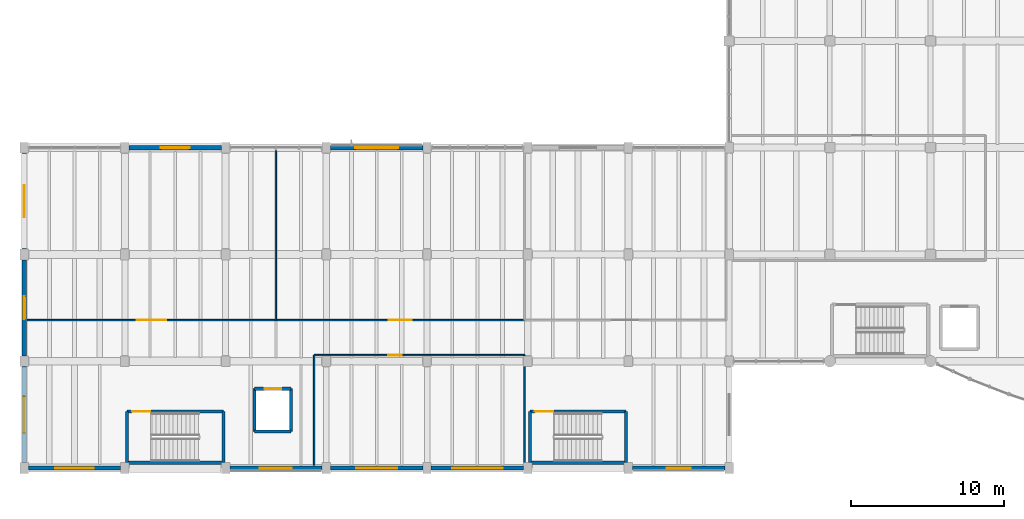
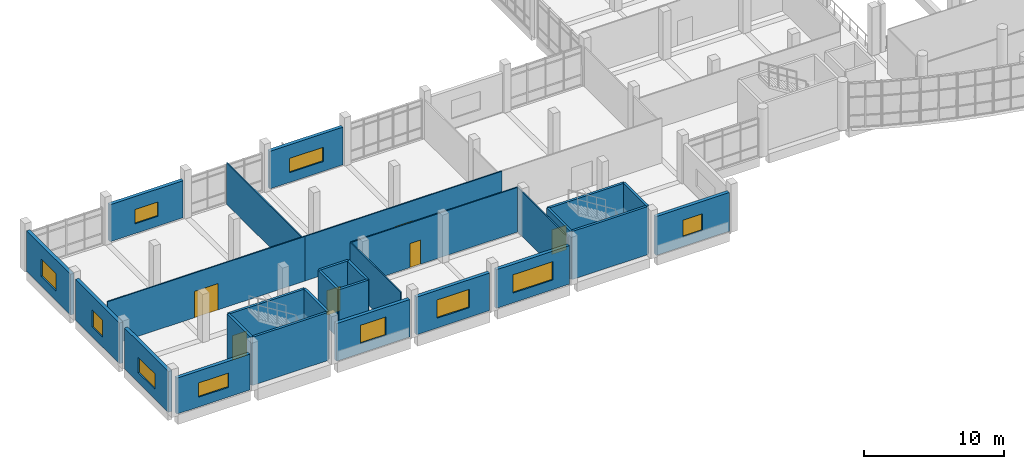
# One storey, part 44 of 68: 28 walls, 10 windows, 6 doors, 16 openings.
"""IFC4 building model written with IfcOpenShell, lengths in metres."""

from ifc_helpers import new_model, si_unit, direction, frame, frame_2d, origin, place, context, subcontext, project, spatial, rectangle, extrude, material, layer, layer_set, type_object, element, fill, save


model = new_model("IFC4")

# Units and contexts
model_context = context("Model", 3, precision=1e-05, world=origin(), true_north=direction((0.0, 1.0)))
body_context = subcontext(model_context, "Body", "Model", "MODEL_VIEW")
ifc_project = project(units=[si_unit("LENGTHUNIT", "METRE"), si_unit("AREAUNIT", "SQUARE_METRE"), si_unit("VOLUMEUNIT", "CUBIC_METRE"), si_unit("PLANEANGLEUNIT", "RADIAN"), si_unit("MASSUNIT", "GRAM", prefix="KILO")], contexts=[model_context])

# Site, building, storey
site_placement = place(None, origin())
site = spatial("IfcSite", under=ifc_project, at=site_placement, CompositionType="ELEMENT")
building_placement = place(site_placement, origin())
building = spatial("IfcBuilding", under=site, at=building_placement, Name="Ciguamira Faculty of Natural Sciences", CompositionType="ELEMENT")
storey_placement = place(building_placement, frame((0.0, 0.0, 4.199951171875)))
storey = spatial("IfcBuildingStorey", under=building, at=storey_placement, Name="L01", CompositionType="ELEMENT", Elevation=4.199951171875)

# Wall, opening, window
ifc_material_1 = material(Name="Precast concrete C40/50", Category="concrete")
ifc_layer_1 = layer(ifc_material_1, 0.280029296875, Name="Precast concrete C40/50")
ifc_layer_set_1 = layer_set([ifc_layer_1], Name="Precast concrete C40/50")
wall_type_1 = type_object("IfcWallType", Name="ExtWall_EW-01_280", PredefinedType="SOLIDWALL", material=ifc_layer_set_1)
wall_1_placement = place(storey_placement, frame((4.77490234375, 3.0, 0.0), z_axis=(0.0, 0.0, 1.0), x_axis=(1.0, 0.0, 0.0)))
wall_1 = element("IfcWall", 1, at=wall_1_placement, inside=storey, type_object=wall_type_1, Name="L01 exterior wall 0137", PredefinedType="SOLIDWALL", context=body_context, shape_type="SweptSolid", body=[
    extrude(rectangle(XDim=6.050048828125, YDim=0.280029296875, at=frame_2d((3.02490234375, 0.0))), origin(), (0.0, 0.0, 1.0), 3.135009765625),
])
opening_1_placement = place(wall_1_placement, frame((1.77490234375, 0.0, 0.85009765625)))
opening_1 = element("IfcOpeningElement", 2, at=opening_1_placement, cuts=wall_1, Name="Opening WT-19", PredefinedType="OPENING", context=body_context, shape_type="SweptSolid", body=[
    extrude(rectangle(XDim=2.5, YDim=1.25, at=frame_2d((1.25, 0.625))), frame((0.0, 0.14990234375, 0.0), z_axis=(0.0, -1.0, 0.0), x_axis=(1.0, 0.0, 0.0)), (0.0, 0.0, 1.0), 0.300048828125),
])
ifc_material_2 = material(Name="Hurricane laminated solar glass", Category="glass")
window_type_1 = type_object("IfcWindowType", Name="Window_WT-19_2500x1250", PartitioningType="DOUBLE_PANEL_VERTICAL", PredefinedType="WINDOW", material=ifc_material_2)
window_1_placement = place(opening_1_placement, origin())
window_1 = element("IfcWindow", 3, at=window_1_placement, inside=storey, type_object=window_type_1, Name="L01 facade window 0053", OverallHeight=1.25, OverallWidth=2.5, PartitioningType="SINGLE_PANEL", PredefinedType="WINDOW", context=body_context, shape_type="SweptSolid", body=[
    extrude(rectangle(XDim=2.5, YDim=1.25, at=frame_2d((1.25, 0.625))), frame((0.0, 0.030029296875, 0.0), z_axis=(0.0, -1.0, 0.0), x_axis=(1.0, 0.0, 0.0)), (0.0, 0.0, 1.0), 0.06005859375),
])
fill(opening_1, window_1)

wall_2_placement = place(storey_placement, frame((17.97509765625, 3.0, 0.0), z_axis=(0.0, 0.0, 1.0), x_axis=(1.0, 0.0, 0.0)))
wall_2 = element("IfcWall", 4, at=wall_2_placement, inside=storey, type_object=wall_type_1, Name="L01 exterior wall 0138", PredefinedType="SOLIDWALL", context=body_context, shape_type="SweptSolid", body=[
    extrude(rectangle(XDim=6.0498046875, YDim=0.280029296875, at=frame_2d((3.02490234375, 0.0))), origin(), (0.0, 0.0, 1.0), 3.28515625),
])
opening_2_placement = place(wall_2_placement, frame((1.97509765625, 0.0, 0.85009765625)))
opening_2 = element("IfcOpeningElement", 5, at=opening_2_placement, cuts=wall_2, Name="Opening WT-22", PredefinedType="OPENING", context=body_context, shape_type="SweptSolid", body=[
    extrude(rectangle(XDim=2.10009765625, YDim=1.60009765625, at=frame_2d((1.050048828125, 0.800048828125))), frame((0.0, 0.14990234375, 0.0), z_axis=(0.0, -1.0, 0.0), x_axis=(1.0, 0.0, 0.0)), (0.0, 0.0, 1.0), 0.300048828125),
])
window_type_2 = type_object("IfcWindowType", Name="Window_WT-22_2100x1600", PartitioningType="DOUBLE_PANEL_VERTICAL", PredefinedType="WINDOW", material=ifc_material_2)
window_2_placement = place(opening_2_placement, origin())
window_2 = element("IfcWindow", 6, at=window_2_placement, inside=storey, type_object=window_type_2, Name="L01 facade window 0054", OverallHeight=1.60009765625, OverallWidth=2.10009765625, PartitioningType="SINGLE_PANEL", PredefinedType="WINDOW", context=body_context, shape_type="SweptSolid", body=[
    extrude(rectangle(XDim=2.10009765625, YDim=1.60009765625, at=frame_2d((1.050048828125, 0.800048828125))), frame((0.0, 0.030029296875, 0.0), z_axis=(0.0, -1.0, 0.0), x_axis=(1.0, 0.0, 0.0)), (0.0, 0.0, 1.0), 0.06005859375),
])
fill(opening_2, window_2)

wall_3_placement = place(storey_placement, frame((24.574951171875, 3.0, 0.0), z_axis=(0.0, 0.0, 1.0), x_axis=(1.0, 0.0, 0.0)))
wall_3 = element("IfcWall", 7, at=wall_3_placement, inside=storey, type_object=wall_type_1, Name="L01 exterior wall 0139", PredefinedType="SOLIDWALL", context=body_context, shape_type="SweptSolid", body=[
    extrude(rectangle(XDim=6.050048828125, YDim=0.280029296875, at=frame_2d((3.02490234375, 0.0))), origin(), (0.0, 0.0, 1.0), 3.28515625),
])
opening_3_placement = place(wall_3_placement, frame((1.675048828125, 0.0, 0.85009765625)))
opening_3 = element("IfcOpeningElement", 8, at=opening_3_placement, cuts=wall_3, Name="Opening WT-24", PredefinedType="OPENING", context=body_context, shape_type="SweptSolid", body=[
    extrude(rectangle(XDim=2.699951171875, YDim=1.60009765625, at=frame_2d((1.35009765625, 0.800048828125))), frame((0.0, 0.14990234375, 0.0), z_axis=(0.0, -1.0, 0.0), x_axis=(1.0, 0.0, 0.0)), (0.0, 0.0, 1.0), 0.300048828125),
])
window_type_3 = type_object("IfcWindowType", Name="Window_WT-24_2700x1600", PartitioningType="DOUBLE_PANEL_VERTICAL", PredefinedType="WINDOW", material=ifc_material_2)
window_3_placement = place(opening_3_placement, origin())
window_3 = element("IfcWindow", 9, at=window_3_placement, inside=storey, type_object=window_type_3, Name="L01 facade window 0055", OverallHeight=1.60009765625, OverallWidth=2.699951171875, PartitioningType="SINGLE_PANEL", PredefinedType="WINDOW", context=body_context, shape_type="SweptSolid", body=[
    extrude(rectangle(XDim=2.699951171875, YDim=1.60009765625, at=frame_2d((1.35009765625, 0.800048828125))), frame((0.0, 0.030029296875, 0.0), z_axis=(0.0, -1.0, 0.0), x_axis=(1.0, 0.0, 0.0)), (0.0, 0.0, 1.0), 0.06005859375),
])
fill(opening_3, window_3)

wall_4_placement = place(storey_placement, frame((31.175048828125, 3.0, 0.0), z_axis=(0.0, 0.0, 1.0), x_axis=(1.0, 0.0, 0.0)))
wall_4 = element("IfcWall", 10, at=wall_4_placement, inside=storey, type_object=wall_type_1, Name="L01 exterior wall 0140", PredefinedType="SOLIDWALL", context=body_context, shape_type="SweptSolid", body=[
    extrude(rectangle(XDim=6.050048828125, YDim=0.280029296875, at=frame_2d((3.02490234375, 0.0))), origin(), (0.0, 0.0, 1.0), 3.364990234375),
])
opening_4_placement = place(wall_4_placement, frame((1.375, 0.0, 0.85009765625)))
opening_4 = element("IfcOpeningElement", 11, at=opening_4_placement, cuts=wall_4, Name="Opening WT-26", PredefinedType="OPENING", context=body_context, shape_type="SweptSolid", body=[
    extrude(rectangle(XDim=3.300048828125, YDim=1.60009765625, at=frame_2d((1.64990234375, 0.800048828125))), frame((0.0, 0.14990234375, 0.0), z_axis=(0.0, -1.0, 0.0), x_axis=(1.0, 0.0, 0.0)), (0.0, 0.0, 1.0), 0.300048828125),
])
window_type_4 = type_object("IfcWindowType", Name="Window_WT-26_3300x1600", PartitioningType="DOUBLE_PANEL_VERTICAL", PredefinedType="WINDOW", material=ifc_material_2)
window_4_placement = place(opening_4_placement, origin())
window_4 = element("IfcWindow", 12, at=window_4_placement, inside=storey, type_object=window_type_4, Name="L01 facade window 0056", OverallHeight=1.60009765625, OverallWidth=3.300048828125, PartitioningType="SINGLE_PANEL", PredefinedType="WINDOW", context=body_context, shape_type="SweptSolid", body=[
    extrude(rectangle(XDim=3.300048828125, YDim=1.60009765625, at=frame_2d((1.64990234375, 0.800048828125))), frame((0.0, 0.030029296875, 0.0), z_axis=(0.0, -1.0, 0.0), x_axis=(1.0, 0.0, 0.0)), (0.0, 0.0, 1.0), 0.06005859375),
])
fill(opening_4, window_4)

wall_5_placement = place(storey_placement, frame((44.375, 3.0, 0.0), z_axis=(0.0, 0.0, 1.0), x_axis=(1.0, 0.0, 0.0)))
wall_5 = element("IfcWall", 13, at=wall_5_placement, inside=storey, type_object=wall_type_1, Name="L01 exterior wall 0141", PredefinedType="SOLIDWALL", context=body_context, shape_type="SweptSolid", body=[
    extrude(rectangle(XDim=6.050048828125, YDim=0.280029296875, at=frame_2d((3.02490234375, 0.0))), origin(), (0.0, 0.0, 1.0), 3.385009765625),
])
opening_5_placement = place(wall_5_placement, frame((2.22509765625, 0.0, 0.85009765625)))
opening_5 = element("IfcOpeningElement", 14, at=opening_5_placement, cuts=wall_5, Name="Opening WT-29", PredefinedType="OPENING", context=body_context, shape_type="SweptSolid", body=[
    extrude(rectangle(XDim=1.60009765625, YDim=1.449951171875, at=frame_2d((0.800048828125, 0.72509765625))), frame((0.0, 0.14990234375, 0.0), z_axis=(0.0, -1.0, 0.0), x_axis=(1.0, 0.0, 0.0)), (0.0, 0.0, 1.0), 0.300048828125),
])
window_type_5 = type_object("IfcWindowType", Name="Window_WT-29_1600x1450", PartitioningType="DOUBLE_PANEL_VERTICAL", PredefinedType="WINDOW", material=ifc_material_2)
window_5_placement = place(opening_5_placement, origin())
window_5 = element("IfcWindow", 15, at=window_5_placement, inside=storey, type_object=window_type_5, Name="L01 facade window 0057", OverallHeight=1.449951171875, OverallWidth=1.60009765625, PartitioningType="SINGLE_PANEL", PredefinedType="WINDOW", context=body_context, shape_type="SweptSolid", body=[
    extrude(rectangle(XDim=1.60009765625, YDim=1.449951171875, at=frame_2d((0.800048828125, 0.72509765625))), frame((0.0, 0.030029296875, 0.0), z_axis=(0.0, -1.0, 0.0), x_axis=(1.0, 0.0, 0.0)), (0.0, 0.0, 1.0), 0.06005859375),
])
fill(opening_5, window_5)

wall_6_placement = place(storey_placement, frame((11.375, 24.0, 0.0), z_axis=(0.0, 0.0, 1.0), x_axis=(1.0, 0.0, 0.0)))
wall_6 = element("IfcWall", 16, at=wall_6_placement, inside=storey, type_object=wall_type_1, Name="L01 exterior wall 0149", PredefinedType="SOLIDWALL", context=body_context, shape_type="SweptSolid", body=[
    extrude(rectangle(XDim=6.050048828125, YDim=0.280029296875, at=frame_2d((3.02490234375, 0.0))), origin(), (0.0, 0.0, 1.0), 3.235107421875),
])
opening_6_placement = place(wall_6_placement, frame((2.074951171875, 0.0, 0.85009765625)))
opening_6 = element("IfcOpeningElement", 17, at=opening_6_placement, cuts=wall_6, Name="Opening WT-17", PredefinedType="OPENING", context=body_context, shape_type="SweptSolid", body=[
    extrude(rectangle(XDim=1.89990234375, YDim=1.25, at=frame_2d((0.949951171875, 0.625))), frame((0.0, 0.14990234375, 0.0), z_axis=(0.0, -1.0, 0.0), x_axis=(1.0, 0.0, 0.0)), (0.0, 0.0, 1.0), 0.300048828125),
])
window_type_6 = type_object("IfcWindowType", Name="Window_WT-17_1900x1250", PartitioningType="DOUBLE_PANEL_VERTICAL", PredefinedType="WINDOW", material=ifc_material_2)
window_6_placement = place(opening_6_placement, origin())
window_6 = element("IfcWindow", 18, at=window_6_placement, inside=storey, type_object=window_type_6, Name="L01 facade window 0065", OverallHeight=1.25, OverallWidth=1.89990234375, PartitioningType="SINGLE_PANEL", PredefinedType="WINDOW", context=body_context, shape_type="SweptSolid", body=[
    extrude(rectangle(XDim=1.89990234375, YDim=1.25, at=frame_2d((0.949951171875, 0.625))), frame((0.0, 0.030029296875, 0.0), z_axis=(0.0, -1.0, 0.0), x_axis=(1.0, 0.0, 0.0)), (0.0, 0.0, 1.0), 0.06005859375),
])
fill(opening_6, window_6)

wall_7_placement = place(storey_placement, frame((24.574951171875, 24.0, 0.0), z_axis=(0.0, 0.0, 1.0), x_axis=(1.0, 0.0, 0.0)))
wall_7 = element("IfcWall", 19, at=wall_7_placement, inside=storey, type_object=wall_type_1, Name="L01 exterior wall 0150", PredefinedType="SOLIDWALL", context=body_context, shape_type="SweptSolid", body=[
    extrude(rectangle(XDim=6.050048828125, YDim=0.280029296875, at=frame_2d((3.02490234375, 0.0))), origin(), (0.0, 0.0, 1.0), 3.28515625),
])
opening_7_placement = place(wall_7_placement, frame((1.625, 0.0, 0.85009765625)))
opening_7 = element("IfcOpeningElement", 20, at=opening_7_placement, cuts=wall_7, Name="Opening WT-20", PredefinedType="OPENING", context=body_context, shape_type="SweptSolid", body=[
    extrude(rectangle(XDim=2.800048828125, YDim=1.25, at=frame_2d((1.39990234375, 0.625))), frame((0.0, 0.14990234375, 0.0), z_axis=(0.0, -1.0, 0.0), x_axis=(1.0, 0.0, 0.0)), (0.0, 0.0, 1.0), 0.300048828125),
])
window_type_7 = type_object("IfcWindowType", Name="Window_WT-20_2800x1250", PartitioningType="DOUBLE_PANEL_VERTICAL", PredefinedType="WINDOW", material=ifc_material_2)
window_7_placement = place(opening_7_placement, origin())
window_7 = element("IfcWindow", 21, at=window_7_placement, inside=storey, type_object=window_type_7, Name="L01 facade window 0066", OverallHeight=1.25, OverallWidth=2.800048828125, PartitioningType="SINGLE_PANEL", PredefinedType="WINDOW", context=body_context, shape_type="SweptSolid", body=[
    extrude(rectangle(XDim=2.800048828125, YDim=1.25, at=frame_2d((1.39990234375, 0.625))), frame((0.0, 0.030029296875, 0.0), z_axis=(0.0, -1.0, 0.0), x_axis=(1.0, 0.0, 0.0)), (0.0, 0.0, 1.0), 0.06005859375),
])
fill(opening_7, window_7)

wall_8_placement = place(storey_placement, frame((4.5, 3.35009765625, 0.0), z_axis=(0.0, 0.0, 1.0), x_axis=(0.0, 1.0, 0.0)))
wall_8 = element("IfcWall", 22, at=wall_8_placement, inside=storey, type_object=wall_type_1, Name="L01 exterior wall 0173", PredefinedType="SOLIDWALL", context=body_context, shape_type="SweptSolid", body=[
    extrude(rectangle(XDim=6.2998046875, YDim=0.280029296875, at=frame_2d((3.14990234375, 0.0))), origin(), (0.0, 0.0, 1.0), 3.56494140625),
])
opening_8_placement = place(wall_8_placement, frame((1.949951171875, 0.0, 0.85009765625)))
opening_8 = element("IfcOpeningElement", 23, at=opening_8_placement, cuts=wall_8, Name="Opening WT-07", PredefinedType="OPENING", context=body_context, shape_type="SweptSolid", body=[
    extrude(rectangle(XDim=2.39990234375, YDim=1.35009765625, at=frame_2d((1.199951171875, 0.675048828125))), frame((0.0, 0.14990234375, 0.0), z_axis=(0.0, -1.0, 0.0), x_axis=(1.0, 0.0, 0.0)), (0.0, 0.0, 1.0), 0.300048828125),
])
window_type_8 = type_object("IfcWindowType", Name="Window_WT-07_2400x1350", PartitioningType="DOUBLE_PANEL_VERTICAL", PredefinedType="WINDOW", material=ifc_material_2)
window_8_placement = place(opening_8_placement, origin())
window_8 = element("IfcWindow", 24, at=window_8_placement, inside=storey, type_object=window_type_8, Name="L01 facade window 0089", OverallHeight=1.35009765625, OverallWidth=2.39990234375, PartitioningType="SINGLE_PANEL", PredefinedType="WINDOW", context=body_context, shape_type="SweptSolid", body=[
    extrude(rectangle(XDim=2.39990234375, YDim=1.35009765625, at=frame_2d((1.199951171875, 0.675048828125))), frame((0.0, 0.030029296875, 0.0), z_axis=(0.0, -1.0, 0.0), x_axis=(1.0, 0.0, 0.0)), (0.0, 0.0, 1.0), 0.06005859375),
])
fill(opening_8, window_8)

wall_9_placement = place(storey_placement, frame((4.5, 10.35009765625, 0.0), z_axis=(0.0, 0.0, 1.0), x_axis=(0.0, 1.0, 0.0)))
wall_9 = element("IfcWall", 25, at=wall_9_placement, inside=storey, type_object=wall_type_1, Name="L01 exterior wall 0174", PredefinedType="SOLIDWALL", context=body_context, shape_type="SweptSolid", body=[
    extrude(rectangle(XDim=6.2998046875, YDim=0.280029296875, at=frame_2d((3.14990234375, 0.0))), origin(), (0.0, 0.0, 1.0), 3.56494140625),
])
opening_9_placement = place(wall_9_placement, frame((2.39990234375, 0.0, 0.85009765625)))
opening_9 = element("IfcOpeningElement", 26, at=opening_9_placement, cuts=wall_9, Name="Opening WT-09", PredefinedType="OPENING", context=body_context, shape_type="SweptSolid", body=[
    extrude(rectangle(XDim=1.5, YDim=1.5, at=frame_2d((0.75, 0.75))), frame((0.0, 0.14990234375, 0.0), z_axis=(0.0, -1.0, 0.0), x_axis=(1.0, 0.0, 0.0)), (0.0, 0.0, 1.0), 0.300048828125),
])
window_type_9 = type_object("IfcWindowType", Name="Window_WT-09_1500x1500", PartitioningType="DOUBLE_PANEL_VERTICAL", PredefinedType="WINDOW", material=ifc_material_2)
window_9_placement = place(opening_9_placement, origin())
window_9 = element("IfcWindow", 27, at=window_9_placement, inside=storey, type_object=window_type_9, Name="L01 facade window 0090", OverallHeight=1.5, OverallWidth=1.5, PartitioningType="SINGLE_PANEL", PredefinedType="WINDOW", context=body_context, shape_type="SweptSolid", body=[
    extrude(rectangle(XDim=1.5, YDim=1.5, at=frame_2d((0.75, 0.75))), frame((0.0, 0.030029296875, 0.0), z_axis=(0.0, -1.0, 0.0), x_axis=(1.0, 0.0, 0.0)), (0.0, 0.0, 1.0), 0.06005859375),
])
fill(opening_9, window_9)

wall_10_placement = place(storey_placement, frame((4.5, 17.35009765625, 0.0), z_axis=(0.0, 0.0, 1.0), x_axis=(0.0, 1.0, 0.0)))
wall_10 = element("IfcWall", 28, at=wall_10_placement, inside=storey, type_object=wall_type_1, Name="L01 exterior wall 0175", PredefinedType="SOLIDWALL", context=body_context, shape_type="SweptSolid", body=[
    extrude(rectangle(XDim=6.2998046875, YDim=0.280029296875, at=frame_2d((3.14990234375, 0.0))), origin(), (0.0, 0.0, 1.0), 3.56494140625),
])
opening_10_placement = place(wall_10_placement, frame((2.10009765625, 0.0, 0.85009765625)))
opening_10 = element("IfcOpeningElement", 29, at=opening_10_placement, cuts=wall_10, Name="Opening WT-11", PredefinedType="OPENING", context=body_context, shape_type="SweptSolid", body=[
    extrude(rectangle(XDim=2.10009765625, YDim=1.5, at=frame_2d((1.050048828125, 0.75))), frame((0.0, 0.14990234375, 0.0), z_axis=(0.0, -1.0, 0.0), x_axis=(1.0, 0.0, 0.0)), (0.0, 0.0, 1.0), 0.300048828125),
])
window_type_10 = type_object("IfcWindowType", Name="Window_WT-11_2100x1500", PartitioningType="DOUBLE_PANEL_VERTICAL", PredefinedType="WINDOW", material=ifc_material_2)
window_10_placement = place(opening_10_placement, origin())
window_10 = element("IfcWindow", 30, at=window_10_placement, inside=storey, type_object=window_type_10, Name="L01 facade window 0091", OverallHeight=1.5, OverallWidth=2.10009765625, PartitioningType="SINGLE_PANEL", PredefinedType="WINDOW", context=body_context, shape_type="SweptSolid", body=[
    extrude(rectangle(XDim=2.10009765625, YDim=1.5, at=frame_2d((1.050048828125, 0.75))), frame((0.0, 0.030029296875, 0.0), z_axis=(0.0, -1.0, 0.0), x_axis=(1.0, 0.0, 0.0)), (0.0, 0.0, 1.0), 0.06005859375),
])
fill(opening_10, window_10)

# Wall
ifc_material_3 = material(Name="Concrete C40/50", Category="concrete")
ifc_layer_2 = layer(ifc_material_3, 0.199951171875, Name="Concrete C40/50")
ifc_layer_set_2 = layer_set([ifc_layer_2], Name="Concrete C40/50")
wall_type_2 = type_object("IfcWallType", Name="IntWall_CW-S20_200", PredefinedType="SHEAR", material=ifc_layer_set_2)
wall_11_placement = place(storey_placement, frame((11.25, 3.35009765625, 0.0), z_axis=(0.0, 0.0, 1.0), x_axis=(1.0, 0.0, 0.0)))
element("IfcWall", 31, at=wall_11_placement, inside=storey, type_object=wall_type_2, Name="L01 ST-C1 core shear wall south", PredefinedType="SHEAR", context=body_context, shape_type="SweptSolid", body=[
    extrude(rectangle(XDim=6.300048828125, YDim=0.199951171875, at=frame_2d((3.14990234375, 0.0))), origin(), (0.0, 0.0, 1.0), 4.199951171875),
])

# Wall, opening, door
wall_12_placement = place(storey_placement, frame((11.25, 6.7099609375, 0.0), z_axis=(0.0, 0.0, 1.0), x_axis=(1.0, 0.0, 0.0)))
wall_12 = element("IfcWall", 32, at=wall_12_placement, inside=storey, type_object=wall_type_2, Name="L01 ST-C1 core shear wall north", PredefinedType="SHEAR", context=body_context, shape_type="SweptSolid", body=[
    extrude(rectangle(XDim=6.300048828125, YDim=0.199951171875, at=frame_2d((3.14990234375, 0.0))), origin(), (0.0, 0.0, 1.0), 4.199951171875),
])
opening_11_placement = place(wall_12_placement, frame((0.320068359375, 0.0, 0.0)))
opening_11 = element("IfcOpeningElement", 33, at=opening_11_placement, cuts=wall_12, Name="Opening ID-14", PredefinedType="OPENING", context=body_context, shape_type="SweptSolid", body=[
    extrude(rectangle(XDim=1.199951171875, YDim=2.14990234375, at=frame_2d((0.60009765625, 1.074951171875))), frame((0.0, 0.10986328125, 0.0), z_axis=(0.0, -1.0, 0.0), x_axis=(1.0, 0.0, 0.0)), (0.0, 0.0, 1.0), 0.219970703125),
])
ifc_material_4 = material(Name="Protected exit stair fire door")
door_type_1 = type_object("IfcDoorType", Name="IntDoor_ID-14_1200x2150", OperationType="NOTDEFINED", PredefinedType="DOOR", material=ifc_material_4)
door_1_placement = place(opening_11_placement, frame((1.199951171875, 0.0, 0.0), z_axis=(0.0, 0.0, 1.0), x_axis=(-1.0, 0.0, 0.0)))
door_1 = element("IfcDoor", 34, at=door_1_placement, inside=storey, type_object=door_type_1, Name="L01 ST-C1 exit stair fire door", OperationType="SINGLE_SWING_LEFT", OverallHeight=2.14990234375, OverallWidth=1.199951171875, PredefinedType="DOOR", context=body_context, shape_type="SweptSolid", body=[
    extrude(rectangle(XDim=1.199951171875, YDim=2.14990234375, at=frame_2d((0.60009765625, 1.074951171875))), frame((0.0, 0.02490234375, 0.0), z_axis=(0.0, -1.0, 0.0), x_axis=(1.0, 0.0, 0.0)), (0.0, 0.0, 1.0), 0.050048828125),
])
fill(opening_11, door_1)

# Walls
for number, where, z_axis, x_axis, name in (
    (35, (11.25, 3.35009765625, 0.0), (0.0, 0.0, 1.0), (0.0, 1.0, 0.0), "L01 ST-C1 core shear wall west"),
    (36, (17.550048828125, 3.35009765625, 0.0), (0.0, 0.0, 1.0), (0.0, 1.0, 0.0), "L01 ST-C1 core shear wall east"),
):
    element("IfcWall", number, at=place(storey_placement, frame(where, z_axis=z_axis, x_axis=x_axis)), inside=storey, type_object=wall_type_2, Name=name, PredefinedType="SHEAR", context=body_context, shape_type="SweptSolid", body=[
        extrude(rectangle(XDim=3.35986328125, YDim=0.199951171875, at=frame_2d((1.679931640625, 0.0))), origin(), (0.0, 0.0, 1.0), 4.199951171875),
    ])
wall_13_placement = place(storey_placement, frame((37.64990234375, 3.35009765625, 0.0), z_axis=(0.0, 0.0, 1.0), x_axis=(1.0, 0.0, 0.0)))
element("IfcWall", 37, at=wall_13_placement, inside=storey, type_object=wall_type_2, Name="L01 ST-C2 core shear wall south", PredefinedType="SHEAR", context=body_context, shape_type="SweptSolid", body=[
    extrude(rectangle(XDim=6.300048828125, YDim=0.199951171875, at=frame_2d((3.14990234375, 0.0))), origin(), (0.0, 0.0, 1.0), 4.199951171875),
])

# Wall, opening, door
wall_14_placement = place(storey_placement, frame((37.64990234375, 6.7099609375, 0.0), z_axis=(0.0, 0.0, 1.0), x_axis=(1.0, 0.0, 0.0)))
wall_14 = element("IfcWall", 38, at=wall_14_placement, inside=storey, type_object=wall_type_2, Name="L01 ST-C2 core shear wall north", PredefinedType="SHEAR", context=body_context, shape_type="SweptSolid", body=[
    extrude(rectangle(XDim=6.300048828125, YDim=0.199951171875, at=frame_2d((3.14990234375, 0.0))), origin(), (0.0, 0.0, 1.0), 4.199951171875),
])
opening_12_placement = place(wall_14_placement, frame((0.320068359375, 0.0, 0.0)))
opening_12 = element("IfcOpeningElement", 39, at=opening_12_placement, cuts=wall_14, Name="Opening ID-14", PredefinedType="OPENING", context=body_context, shape_type="SweptSolid", body=[
    extrude(rectangle(XDim=1.199951171875, YDim=2.14990234375, at=frame_2d((0.60009765625, 1.074951171875))), frame((0.0, 0.10986328125, 0.0), z_axis=(0.0, -1.0, 0.0), x_axis=(1.0, 0.0, 0.0)), (0.0, 0.0, 1.0), 0.219970703125),
])
door_2_placement = place(opening_12_placement, frame((1.199951171875, 0.0, 0.0), z_axis=(0.0, 0.0, 1.0), x_axis=(-1.0, 0.0, 0.0)))
door_2 = element("IfcDoor", 40, at=door_2_placement, inside=storey, type_object=door_type_1, Name="L01 ST-C2 exit stair fire door", OperationType="SINGLE_SWING_LEFT", OverallHeight=2.14990234375, OverallWidth=1.199951171875, PredefinedType="DOOR", context=body_context, shape_type="SweptSolid", body=[
    extrude(rectangle(XDim=1.199951171875, YDim=2.14990234375, at=frame_2d((0.60009765625, 1.074951171875))), frame((0.0, 0.02490234375, 0.0), z_axis=(0.0, -1.0, 0.0), x_axis=(1.0, 0.0, 0.0)), (0.0, 0.0, 1.0), 0.050048828125),
])
fill(opening_12, door_2)

# Walls
for number, where, z_axis, x_axis, name in (
    (41, (37.64990234375, 3.35009765625, 0.0), (0.0, 0.0, 1.0), (0.0, 1.0, 0.0), "L01 ST-C2 core shear wall west"),
    (42, (43.949951171875, 3.35009765625, 0.0), (0.0, 0.0, 1.0), (0.0, 1.0, 0.0), "L01 ST-C2 core shear wall east"),
):
    element("IfcWall", number, at=place(storey_placement, frame(where, z_axis=z_axis, x_axis=x_axis)), inside=storey, type_object=wall_type_2, Name=name, PredefinedType="SHEAR", context=body_context, shape_type="SweptSolid", body=[
        extrude(rectangle(XDim=3.35986328125, YDim=0.199951171875, at=frame_2d((1.679931640625, 0.0))), origin(), (0.0, 0.0, 1.0), 4.199951171875),
    ])
wall_15_placement = place(storey_placement, frame((19.60009765625, 5.39990234375, 0.0), z_axis=(0.0, 0.0, 1.0), x_axis=(1.0, 0.0, 0.0)))
element("IfcWall", 43, at=wall_15_placement, inside=storey, type_object=wall_type_2, Name="L01 EL-P2 hoistway wall south", PredefinedType="SHEAR", context=body_context, shape_type="SweptSolid", body=[
    extrude(rectangle(XDim=2.39990234375, YDim=0.199951171875, at=frame_2d((1.199951171875, 0.0))), origin(), (0.0, 0.0, 1.0), 4.199951171875),
])

# Wall, opening, door
wall_16_placement = place(storey_placement, frame((19.60009765625, 8.199951171875, 0.0), z_axis=(0.0, 0.0, 1.0), x_axis=(1.0, 0.0, 0.0)))
wall_16 = element("IfcWall", 44, at=wall_16_placement, inside=storey, type_object=wall_type_2, Name="L01 EL-P2 hoistway wall north", PredefinedType="SHEAR", context=body_context, shape_type="SweptSolid", body=[
    extrude(rectangle(XDim=2.39990234375, YDim=0.199951171875, at=frame_2d((1.199951171875, 0.0))), origin(), (0.0, 0.0, 1.0), 4.199951171875),
])
opening_13_placement = place(wall_16_placement, frame((0.64990234375, 0.0, 0.0)))
opening_13 = element("IfcOpeningElement", 45, at=opening_13_placement, cuts=wall_16, Name="Opening LD-01", PredefinedType="OPENING", context=body_context, shape_type="SweptSolid", body=[
    extrude(rectangle(XDim=1.10009765625, YDim=2.14990234375, at=frame_2d((0.550048828125, 1.074951171875))), frame((0.0, 0.10986328125, 0.0), z_axis=(0.0, -1.0, 0.0), x_axis=(1.0, 0.0, 0.0)), (0.0, 0.0, 1.0), 0.219970703125),
])
ifc_material_5 = material(Name="Passenger elevator sliding landing door")
door_type_2 = type_object("IfcDoorType", Name="LiftLandingDoor_LD-01_1100x2150", OperationType="SLIDING_TO_LEFT", PredefinedType="DOOR", material=ifc_material_5)
door_3_placement = place(opening_13_placement, origin())
door_3 = element("IfcDoor", 46, at=door_3_placement, inside=storey, type_object=door_type_2, Name="L01 EL-P2 elevator landing sliding door", OperationType="SLIDING_TO_LEFT", OverallHeight=2.14990234375, OverallWidth=1.10009765625, PredefinedType="DOOR", context=body_context, shape_type="SweptSolid", body=[
    extrude(rectangle(XDim=1.10009765625, YDim=2.14990234375, at=frame_2d((0.550048828125, 1.074951171875))), frame((0.0, 0.02490234375, 0.0), z_axis=(0.0, -1.0, 0.0), x_axis=(1.0, 0.0, 0.0)), (0.0, 0.0, 1.0), 0.050048828125),
])
fill(opening_13, door_3)

# Walls
for number, where, z_axis, x_axis, name in (
    (47, (19.60009765625, 5.39990234375, 0.0), (0.0, 0.0, 1.0), (0.0, 1.0, 0.0), "L01 EL-P2 hoistway wall west"),
    (48, (22.0, 5.39990234375, 0.0), (0.0, 0.0, 1.0), (0.0, 1.0, 0.0), "L01 EL-P2 hoistway wall east"),
):
    element("IfcWall", number, at=place(storey_placement, frame(where, z_axis=z_axis, x_axis=x_axis)), inside=storey, type_object=wall_type_2, Name=name, PredefinedType="SHEAR", context=body_context, shape_type="SweptSolid", body=[
        extrude(rectangle(XDim=2.800048828125, YDim=0.199951171875, at=frame_2d((1.39990234375, 0.0))), origin(), (0.0, 0.0, 1.0), 4.199951171875),
    ])

# Wall, opening, door
ifc_material_6 = material(Name="Fire-rated gypsum partition")
ifc_layer_3 = layer(ifc_material_6, 0.10009765625, Name="Fire-rated gypsum partition")
ifc_layer_set_3 = layer_set([ifc_layer_3], Name="Fire-rated gypsum partition")
wall_type_3 = type_object("IfcWallType", Name="IntWall_IW-A10_100", PredefinedType="PARTITIONING", material=ifc_layer_set_3)
wall_17_placement = place(storey_placement, frame((4.699951171875, 12.699951171875, 0.0), z_axis=(0.0, 0.0, 1.0), x_axis=(1.0, 0.0, 0.0)))
wall_17 = element("IfcWall", 49, at=wall_17_placement, inside=storey, type_object=wall_type_3, Name="L01 Undergraduate Learning Commons Hall partition south", PredefinedType="PARTITIONING", context=body_context, shape_type="SweptSolid", body=[
    extrude(rectangle(XDim=16.300048828125, YDim=0.10009765625, at=frame_2d((8.14990234375, 0.0))), origin(), (0.0, 0.0, 1.0), 3.900146484375),
])
opening_14_placement = place(wall_17_placement, frame((7.175048828125, 0.0, 0.0)))
opening_14 = element("IfcOpeningElement", 50, at=opening_14_placement, cuts=wall_17, Name="Opening ID-13", PredefinedType="OPENING", context=body_context, shape_type="SweptSolid", body=[
    extrude(rectangle(XDim=1.949951171875, YDim=2.300048828125, at=frame_2d((0.97509765625, 1.14990234375))), frame((0.0, 0.06005859375, 0.0), z_axis=(0.0, -1.0, 0.0), x_axis=(1.0, 0.0, 0.0)), (0.0, 0.0, 1.0), 0.1201171875),
])
ifc_material_7 = material(Name="Atrium concourse double fire door")
door_type_3 = type_object("IfcDoorType", Name="IntDoor_ID-13_1950x2300", OperationType="NOTDEFINED", PredefinedType="DOOR", material=ifc_material_7)
door_4_placement = place(opening_14_placement, origin())
door_4 = element("IfcDoor", 51, at=door_4_placement, inside=storey, type_object=door_type_3, Name="L01 Undergraduate Learning Commons Hall door", OperationType="SINGLE_SWING_RIGHT", OverallHeight=2.300048828125, OverallWidth=1.949951171875, PredefinedType="DOOR", context=body_context, shape_type="SweptSolid", body=[
    extrude(rectangle(XDim=1.949951171875, YDim=2.300048828125, at=frame_2d((0.97509765625, 1.14990234375))), frame((0.0, 0.02490234375, 0.0), z_axis=(0.0, -1.0, 0.0), x_axis=(1.0, 0.0, 0.0)), (0.0, 0.0, 1.0), 0.050048828125),
])
fill(opening_14, door_4)

# Wall
wall_18_placement = place(storey_placement, frame((21.0, 12.699951171875, 0.0), z_axis=(0.0, 0.0, 1.0), x_axis=(0.0, 1.0, 0.0)))
element("IfcWall", 52, at=wall_18_placement, inside=storey, type_object=wall_type_3, Name="L01 Undergraduate Learning Commons Hall partition east", PredefinedType="PARTITIONING", context=body_context, shape_type="SweptSolid", body=[
    extrude(rectangle(XDim=11.10009765625, YDim=0.10009765625, at=frame_2d((5.550048828125, 0.0))), origin(), (0.0, 0.0, 1.0), 3.61767578125),
])

# Wall, opening, door
wall_19_placement = place(storey_placement, frame((21.0, 12.699951171875, 0.0), z_axis=(0.0, 0.0, 1.0), x_axis=(1.0, 0.0, 0.0)))
wall_19 = element("IfcWall", 53, at=wall_19_placement, inside=storey, type_object=wall_type_3, Name="L01 Natural Sciences Open Book Stacks partition south", PredefinedType="PARTITIONING", context=body_context, shape_type="SweptSolid", body=[
    extrude(rectangle(XDim=16.300048828125, YDim=0.10009765625, at=frame_2d((8.14990234375, 0.0))), origin(), (0.0, 0.0, 1.0), 3.900146484375),
])
opening_15_placement = place(wall_19_placement, frame((7.39990234375, 0.0, 0.0)))
opening_15 = element("IfcOpeningElement", 54, at=opening_15_placement, cuts=wall_19, Name="Opening ID-17", PredefinedType="OPENING", context=body_context, shape_type="SweptSolid", body=[
    extrude(rectangle(XDim=1.5, YDim=2.14990234375, at=frame_2d((0.75, 1.074951171875))), frame((0.0, 0.06005859375, 0.0), z_axis=(0.0, -1.0, 0.0), x_axis=(1.0, 0.0, 0.0)), (0.0, 0.0, 1.0), 0.1201171875),
])
ifc_material_8 = material(Name="Plant room double steel door", Category="steel")
door_type_4 = type_object("IfcDoorType", Name="IntDoor_ID-17_1500x2150", OperationType="NOTDEFINED", PredefinedType="DOOR", material=ifc_material_8)
door_5_placement = place(opening_15_placement, origin())
door_5 = element("IfcDoor", 55, at=door_5_placement, inside=storey, type_object=door_type_4, Name="L01 Natural Sciences Open Book Stacks door", OperationType="SINGLE_SWING_LEFT", OverallHeight=2.14990234375, OverallWidth=1.5, PredefinedType="DOOR", context=body_context, shape_type="SweptSolid", body=[
    extrude(rectangle(XDim=1.5, YDim=2.14990234375, at=frame_2d((0.75, 1.074951171875))), frame((0.0, 0.02490234375, 0.0), z_axis=(0.0, -1.0, 0.0), x_axis=(1.0, 0.0, 0.0)), (0.0, 0.0, 1.0), 0.050048828125),
])
fill(opening_15, door_5)

wall_20_placement = place(storey_placement, frame((23.5, 10.39990234375, 0.0), z_axis=(0.0, 0.0, 1.0), x_axis=(1.0, 0.0, 0.0)))
wall_20 = element("IfcWall", 56, at=wall_20_placement, inside=storey, type_object=wall_type_3, Name="L01 Digital Science Media Room partition north", PredefinedType="PARTITIONING", context=body_context, shape_type="SweptSolid", body=[
    extrude(rectangle(XDim=13.800048828125, YDim=0.10009765625, at=frame_2d((6.89990234375, 0.0))), origin(), (0.0, 0.0, 1.0), 3.900146484375),
])
opening_16_placement = place(wall_20_placement, frame((4.85009765625, 0.0, 0.0)))
opening_16 = element("IfcOpeningElement", 57, at=opening_16_placement, cuts=wall_20, Name="Opening ID-01", PredefinedType="OPENING", context=body_context, shape_type="SweptSolid", body=[
    extrude(rectangle(XDim=0.89990234375, YDim=2.10009765625, at=frame_2d((0.449951171875, 1.050048828125))), frame((0.0, 0.06005859375, 0.0), z_axis=(0.0, -1.0, 0.0), x_axis=(1.0, 0.0, 0.0)), (0.0, 0.0, 1.0), 0.1201171875),
])
ifc_material_9 = material(Name="Single timber office door", Category="wood")
door_type_5 = type_object("IfcDoorType", Name="IntDoor_ID-01_900x2100", OperationType="NOTDEFINED", PredefinedType="DOOR", material=ifc_material_9)
door_6_placement = place(opening_16_placement, frame((0.89990234375, 0.0, 0.0), z_axis=(0.0, 0.0, 1.0), x_axis=(-1.0, 0.0, 0.0)))
door_6 = element("IfcDoor", 58, at=door_6_placement, inside=storey, type_object=door_type_5, Name="L01 Digital Science Media Room door", OperationType="SINGLE_SWING_LEFT", OverallHeight=2.10009765625, OverallWidth=0.89990234375, PredefinedType="DOOR", context=body_context, shape_type="SweptSolid", body=[
    extrude(rectangle(XDim=0.89990234375, YDim=2.10009765625, at=frame_2d((0.449951171875, 1.050048828125))), frame((0.0, 0.02490234375, 0.0), z_axis=(0.0, -1.0, 0.0), x_axis=(1.0, 0.0, 0.0)), (0.0, 0.0, 1.0), 0.050048828125),
])
fill(opening_16, door_6)

# Walls
for number, where, z_axis, x_axis, name in (
    (59, (23.5, 3.199951171875, 0.0), (0.0, 0.0, 1.0), (0.0, 1.0, 0.0), "L01 Digital Science Media Room partition west"),
    (60, (37.300048828125, 3.199951171875, 0.0), (0.0, 0.0, 1.0), (0.0, 1.0, 0.0), "L01 Digital Science Media Room partition east"),
):
    element("IfcWall", number, at=place(storey_placement, frame(where, z_axis=z_axis, x_axis=x_axis)), inside=storey, type_object=wall_type_3, Name=name, PredefinedType="PARTITIONING", context=body_context, shape_type="SweptSolid", body=[
        extrude(rectangle(XDim=7.199951171875, YDim=0.10009765625, at=frame_2d((3.60009765625, 0.0))), origin(), (0.0, 0.0, 1.0), 3.900146484375),
    ])

save(model, "model.ifc")
